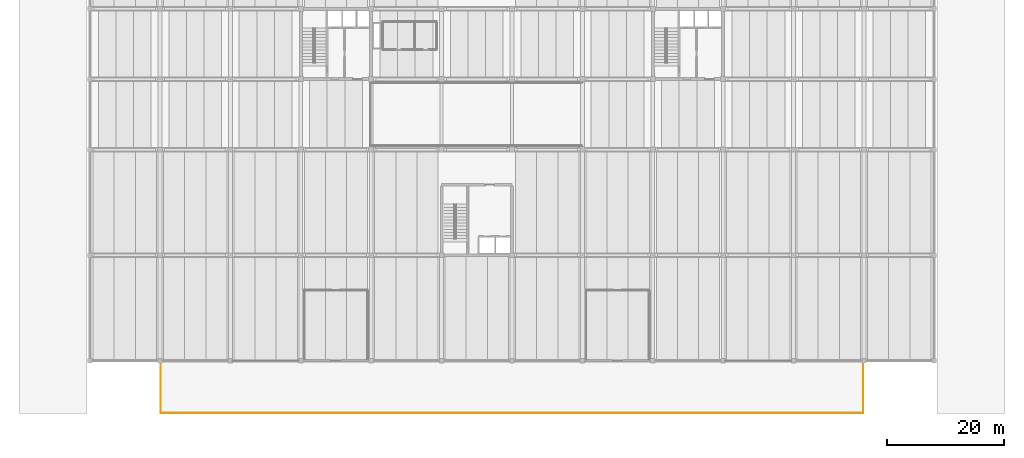
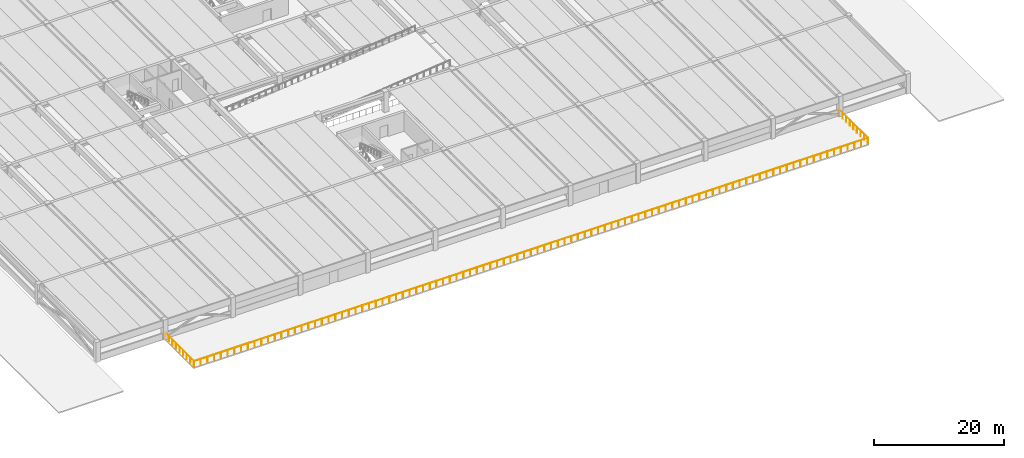
# One storey, part 13 of 16: 1 railing.
"""IFC4 building model written with IfcOpenShell, lengths in metres."""

from ifc_helpers import new_model, si_unit, direction, frame, origin, origin_2d, place, context, subcontext, project, spatial, circle, extrude, material, layer, layer_set, type_object, element, save


model = new_model("IFC4")

# Units and contexts
model_context = context("Model", 3, precision=1e-05, world=origin(), true_north=direction((0.0, 1.0)))
body_context = subcontext(model_context, "Body", "Model", "MODEL_VIEW")
ifc_project = project(units=[si_unit("LENGTHUNIT", "METRE"), si_unit("AREAUNIT", "SQUARE_METRE"), si_unit("VOLUMEUNIT", "CUBIC_METRE"), si_unit("PLANEANGLEUNIT", "RADIAN"), si_unit("MASSUNIT", "GRAM", prefix="KILO")], contexts=[model_context])

# Site, building, storey
site_placement = place(None, origin())
site = spatial("IfcSite", under=ifc_project, at=site_placement, CompositionType="ELEMENT")
building_placement = place(site_placement, origin())
building = spatial("IfcBuilding", under=site, at=building_placement, Name="Girod Span Mobility Hub", CompositionType="ELEMENT")
storey_placement = place(building_placement, frame((0.0, 0.0, 21.0)))
storey = spatial("IfcBuildingStorey", under=building, at=storey_placement, Name="L05", CompositionType="ELEMENT", Elevation=21.0)

# Railing
ifc_material = material(Name="Anodised Aluminium Alloy 6063-T6", Category="aluminium")
ifc_layer = layer(ifc_material, 0.070068359375)
ifc_layer_set = layer_set([ifc_layer], Name="Anodised Aluminium Alloy 6063-T6")
railing_type = type_object("IfcRailingType", Name="RL-BAL-1140", PredefinedType="BALUSTRADE", material=ifc_layer_set)
railing_placement = place(storey_placement, frame((24.1201171875, 8.9599609375, 0.0)))
element("IfcRailing", 1, at=railing_placement, inside=storey, type_object=railing_type, Name="South Boulevard Podium Terrace Perimeter Balustrade", PredefinedType="BALUSTRADE", context=body_context, shape_type="SweptSolid", body=[
    extrude(circle(Radius=0.02392578125, at=origin_2d()), frame((0.0, 0.0, 1.11572265625), z_axis=(0.0, -1.0, 0.0), x_axis=(1.0, 0.0, 0.0)), (0.0, 0.0, 1.0), 8.83984375),
    extrude(circle(Radius=0.02392578125, at=origin_2d()), frame((0.0, -8.83984375, 1.11572265625), z_axis=(1.0, 0.0, 0.0), x_axis=(0.0, 1.0, 0.0)), (0.0, 0.0, 1.0), 119.759765625),
    extrude(circle(Radius=0.02392578125, at=origin_2d()), frame((119.759765625, -8.83984375, 1.11572265625), z_axis=(0.0, 1.0, 0.0), x_axis=(-1.0, 0.0, 0.0)), (0.0, 0.0, 1.0), 8.83984375),
    extrude(circle(Radius=0.02099609375, at=origin_2d()), origin(), (0.0, 0.0, 1.0), 1.091796875),
    extrude(circle(Radius=0.02099609375, at=origin_2d()), frame((0.0, -1.10498046875, 0.0)), (0.0, 0.0, 1.0), 1.091796875),
    extrude(circle(Radius=0.02099609375, at=origin_2d()), frame((0.0, -2.2099609375, 0.0)), (0.0, 0.0, 1.0), 1.091796875),
    extrude(circle(Radius=0.02099609375, at=origin_2d()), frame((0.0, -3.31494140625, 0.0)), (0.0, 0.0, 1.0), 1.091796875),
    extrude(circle(Radius=0.02099609375, at=origin_2d()), frame((0.0, -4.419921875, 0.0)), (0.0, 0.0, 1.0), 1.091796875),
    extrude(circle(Radius=0.02099609375, at=origin_2d()), frame((0.0, -5.52490234375, 0.0)), (0.0, 0.0, 1.0), 1.091796875),
    extrude(circle(Radius=0.02099609375, at=origin_2d()), frame((0.0, -6.6298828125, 0.0)), (0.0, 0.0, 1.0), 1.091796875),
    extrude(circle(Radius=0.02099609375, at=origin_2d()), frame((0.0, -7.73486328125, 0.0)), (0.0, 0.0, 1.0), 1.091796875),
    extrude(circle(Radius=0.02099609375, at=origin_2d()), frame((0.0, -8.83984375, 0.0)), (0.0, 0.0, 1.0), 1.091796875),
    extrude(circle(Radius=0.02099609375, at=origin_2d()), frame((1.197509765625, -8.83984375, 0.0)), (0.0, 0.0, 1.0), 1.091796875),
    extrude(circle(Radius=0.02099609375, at=origin_2d()), frame((2.395263671875, -8.83984375, 0.0)), (0.0, 0.0, 1.0), 1.091796875),
    extrude(circle(Radius=0.02099609375, at=origin_2d()), frame((3.5927734375, -8.83984375, 0.0)), (0.0, 0.0, 1.0), 1.091796875),
    extrude(circle(Radius=0.02099609375, at=origin_2d()), frame((4.790283203125, -8.83984375, 0.0)), (0.0, 0.0, 1.0), 1.091796875),
    extrude(circle(Radius=0.02099609375, at=origin_2d()), frame((5.988037109375, -8.83984375, 0.0)), (0.0, 0.0, 1.0), 1.091796875),
    extrude(circle(Radius=0.02099609375, at=origin_2d()), frame((7.185546875, -8.83984375, 0.0)), (0.0, 0.0, 1.0), 1.091796875),
    extrude(circle(Radius=0.02099609375, at=origin_2d()), frame((8.38330078125, -8.83984375, 0.0)), (0.0, 0.0, 1.0), 1.091796875),
    extrude(circle(Radius=0.02099609375, at=origin_2d()), frame((9.580810546875, -8.83984375, 0.0)), (0.0, 0.0, 1.0), 1.091796875),
    extrude(circle(Radius=0.02099609375, at=origin_2d()), frame((10.7783203125, -8.83984375, 0.0)), (0.0, 0.0, 1.0), 1.091796875),
    extrude(circle(Radius=0.02099609375, at=origin_2d()), frame((11.97607421875, -8.83984375, 0.0)), (0.0, 0.0, 1.0), 1.091796875),
    extrude(circle(Radius=0.02099609375, at=origin_2d()), frame((13.173583984375, -8.83984375, 0.0)), (0.0, 0.0, 1.0), 1.091796875),
    extrude(circle(Radius=0.02099609375, at=origin_2d()), frame((14.37109375, -8.83984375, 0.0)), (0.0, 0.0, 1.0), 1.091796875),
    extrude(circle(Radius=0.02099609375, at=origin_2d()), frame((15.56884765625, -8.83984375, 0.0)), (0.0, 0.0, 1.0), 1.091796875),
    extrude(circle(Radius=0.02099609375, at=origin_2d()), frame((16.766357421875, -8.83984375, 0.0)), (0.0, 0.0, 1.0), 1.091796875),
    extrude(circle(Radius=0.02099609375, at=origin_2d()), frame((17.9638671875, -8.83984375, 0.0)), (0.0, 0.0, 1.0), 1.091796875),
    extrude(circle(Radius=0.02099609375, at=origin_2d()), frame((19.16162109375, -8.83984375, 0.0)), (0.0, 0.0, 1.0), 1.091796875),
    extrude(circle(Radius=0.02099609375, at=origin_2d()), frame((20.359130859375, -8.83984375, 0.0)), (0.0, 0.0, 1.0), 1.091796875),
    extrude(circle(Radius=0.02099609375, at=origin_2d()), frame((21.556640625, -8.83984375, 0.0)), (0.0, 0.0, 1.0), 1.091796875),
    extrude(circle(Radius=0.02099609375, at=origin_2d()), frame((22.75439453125, -8.83984375, 0.0)), (0.0, 0.0, 1.0), 1.091796875),
    extrude(circle(Radius=0.02099609375, at=origin_2d()), frame((23.951904296875, -8.83984375, 0.0)), (0.0, 0.0, 1.0), 1.091796875),
    extrude(circle(Radius=0.02099609375, at=origin_2d()), frame((25.149658203125, -8.83984375, 0.0)), (0.0, 0.0, 1.0), 1.091796875),
    extrude(circle(Radius=0.02099609375, at=origin_2d()), frame((26.34716796875, -8.83984375, 0.0)), (0.0, 0.0, 1.0), 1.091796875),
    extrude(circle(Radius=0.02099609375, at=origin_2d()), frame((27.544677734375, -8.83984375, 0.0)), (0.0, 0.0, 1.0), 1.091796875),
    extrude(circle(Radius=0.02099609375, at=origin_2d()), frame((28.742431640625, -8.83984375, 0.0)), (0.0, 0.0, 1.0), 1.091796875),
    extrude(circle(Radius=0.02099609375, at=origin_2d()), frame((29.93994140625, -8.83984375, 0.0)), (0.0, 0.0, 1.0), 1.091796875),
    extrude(circle(Radius=0.02099609375, at=origin_2d()), frame((31.137451171875, -8.83984375, 0.0)), (0.0, 0.0, 1.0), 1.091796875),
    extrude(circle(Radius=0.02099609375, at=origin_2d()), frame((32.335205078125, -8.83984375, 0.0)), (0.0, 0.0, 1.0), 1.091796875),
    extrude(circle(Radius=0.02099609375, at=origin_2d()), frame((33.53271484375, -8.83984375, 0.0)), (0.0, 0.0, 1.0), 1.091796875),
    extrude(circle(Radius=0.02099609375, at=origin_2d()), frame((34.730224609375, -8.83984375, 0.0)), (0.0, 0.0, 1.0), 1.091796875),
    extrude(circle(Radius=0.02099609375, at=origin_2d()), frame((35.927978515625, -8.83984375, 0.0)), (0.0, 0.0, 1.0), 1.091796875),
    extrude(circle(Radius=0.02099609375, at=origin_2d()), frame((37.12548828125, -8.83984375, 0.0)), (0.0, 0.0, 1.0), 1.091796875),
    extrude(circle(Radius=0.02099609375, at=origin_2d()), frame((38.3232421875, -8.83984375, 0.0)), (0.0, 0.0, 1.0), 1.091796875),
    extrude(circle(Radius=0.02099609375, at=origin_2d()), frame((39.520751953125, -8.83984375, 0.0)), (0.0, 0.0, 1.0), 1.091796875),
    extrude(circle(Radius=0.02099609375, at=origin_2d()), frame((40.71826171875, -8.83984375, 0.0)), (0.0, 0.0, 1.0), 1.091796875),
    extrude(circle(Radius=0.02099609375, at=origin_2d()), frame((41.916015625, -8.83984375, 0.0)), (0.0, 0.0, 1.0), 1.091796875),
    extrude(circle(Radius=0.02099609375, at=origin_2d()), frame((43.113525390625, -8.83984375, 0.0)), (0.0, 0.0, 1.0), 1.091796875),
    extrude(circle(Radius=0.02099609375, at=origin_2d()), frame((44.31103515625, -8.83984375, 0.0)), (0.0, 0.0, 1.0), 1.091796875),
    extrude(circle(Radius=0.02099609375, at=origin_2d()), frame((45.5087890625, -8.83984375, 0.0)), (0.0, 0.0, 1.0), 1.091796875),
    extrude(circle(Radius=0.02099609375, at=origin_2d()), frame((46.706298828125, -8.83984375, 0.0)), (0.0, 0.0, 1.0), 1.091796875),
    extrude(circle(Radius=0.02099609375, at=origin_2d()), frame((47.90380859375, -8.83984375, 0.0)), (0.0, 0.0, 1.0), 1.091796875),
    extrude(circle(Radius=0.02099609375, at=origin_2d()), frame((49.1015625, -8.83984375, 0.0)), (0.0, 0.0, 1.0), 1.091796875),
    extrude(circle(Radius=0.02099609375, at=origin_2d()), frame((50.299072265625, -8.83984375, 0.0)), (0.0, 0.0, 1.0), 1.091796875),
    extrude(circle(Radius=0.02099609375, at=origin_2d()), frame((51.49658203125, -8.83984375, 0.0)), (0.0, 0.0, 1.0), 1.091796875),
    extrude(circle(Radius=0.02099609375, at=origin_2d()), frame((52.6943359375, -8.83984375, 0.0)), (0.0, 0.0, 1.0), 1.091796875),
    extrude(circle(Radius=0.02099609375, at=origin_2d()), frame((53.891845703125, -8.83984375, 0.0)), (0.0, 0.0, 1.0), 1.091796875),
    extrude(circle(Radius=0.02099609375, at=origin_2d()), frame((55.089599609375, -8.83984375, 0.0)), (0.0, 0.0, 1.0), 1.091796875),
    extrude(circle(Radius=0.02099609375, at=origin_2d()), frame((56.287109375, -8.83984375, 0.0)), (0.0, 0.0, 1.0), 1.091796875),
    extrude(circle(Radius=0.02099609375, at=origin_2d()), frame((57.484619140625, -8.83984375, 0.0)), (0.0, 0.0, 1.0), 1.091796875),
    extrude(circle(Radius=0.02099609375, at=origin_2d()), frame((58.682373046875, -8.83984375, 0.0)), (0.0, 0.0, 1.0), 1.091796875),
    extrude(circle(Radius=0.02099609375, at=origin_2d()), frame((59.8798828125, -8.83984375, 0.0)), (0.0, 0.0, 1.0), 1.091796875),
    extrude(circle(Radius=0.02099609375, at=origin_2d()), frame((61.077392578125, -8.83984375, 0.0)), (0.0, 0.0, 1.0), 1.091796875),
    extrude(circle(Radius=0.02099609375, at=origin_2d()), frame((62.275146484375, -8.83984375, 0.0)), (0.0, 0.0, 1.0), 1.091796875),
    extrude(circle(Radius=0.02099609375, at=origin_2d()), frame((63.47265625, -8.83984375, 0.0)), (0.0, 0.0, 1.0), 1.091796875),
    extrude(circle(Radius=0.02099609375, at=origin_2d()), frame((64.670166015625, -8.83984375, 0.0)), (0.0, 0.0, 1.0), 1.091796875),
    extrude(circle(Radius=0.02099609375, at=origin_2d()), frame((65.867919921875, -8.83984375, 0.0)), (0.0, 0.0, 1.0), 1.091796875),
    extrude(circle(Radius=0.02099609375, at=origin_2d()), frame((67.0654296875, -8.83984375, 0.0)), (0.0, 0.0, 1.0), 1.091796875),
    extrude(circle(Radius=0.02099609375, at=origin_2d()), frame((68.26318359375, -8.83984375, 0.0)), (0.0, 0.0, 1.0), 1.091796875),
    extrude(circle(Radius=0.02099609375, at=origin_2d()), frame((69.460693359375, -8.83984375, 0.0)), (0.0, 0.0, 1.0), 1.091796875),
    extrude(circle(Radius=0.02099609375, at=origin_2d()), frame((70.658203125, -8.83984375, 0.0)), (0.0, 0.0, 1.0), 1.091796875),
    extrude(circle(Radius=0.02099609375, at=origin_2d()), frame((71.85595703125, -8.83984375, 0.0)), (0.0, 0.0, 1.0), 1.091796875),
    extrude(circle(Radius=0.02099609375, at=origin_2d()), frame((73.053466796875, -8.83984375, 0.0)), (0.0, 0.0, 1.0), 1.091796875),
    extrude(circle(Radius=0.02099609375, at=origin_2d()), frame((74.2509765625, -8.83984375, 0.0)), (0.0, 0.0, 1.0), 1.091796875),
    extrude(circle(Radius=0.02099609375, at=origin_2d()), frame((75.44873046875, -8.83984375, 0.0)), (0.0, 0.0, 1.0), 1.091796875),
    extrude(circle(Radius=0.02099609375, at=origin_2d()), frame((76.646240234375, -8.83984375, 0.0)), (0.0, 0.0, 1.0), 1.091796875),
    extrude(circle(Radius=0.02099609375, at=origin_2d()), frame((77.84375, -8.83984375, 0.0)), (0.0, 0.0, 1.0), 1.091796875),
    extrude(circle(Radius=0.02099609375, at=origin_2d()), frame((79.04150390625, -8.83984375, 0.0)), (0.0, 0.0, 1.0), 1.091796875),
    extrude(circle(Radius=0.02099609375, at=origin_2d()), frame((80.239013671875, -8.83984375, 0.0)), (0.0, 0.0, 1.0), 1.091796875),
    extrude(circle(Radius=0.02099609375, at=origin_2d()), frame((81.4365234375, -8.83984375, 0.0)), (0.0, 0.0, 1.0), 1.091796875),
    extrude(circle(Radius=0.02099609375, at=origin_2d()), frame((82.63427734375, -8.83984375, 0.0)), (0.0, 0.0, 1.0), 1.091796875),
    extrude(circle(Radius=0.02099609375, at=origin_2d()), frame((83.831787109375, -8.83984375, 0.0)), (0.0, 0.0, 1.0), 1.091796875),
    extrude(circle(Radius=0.02099609375, at=origin_2d()), frame((85.029541015625, -8.83984375, 0.0)), (0.0, 0.0, 1.0), 1.091796875),
    extrude(circle(Radius=0.02099609375, at=origin_2d()), frame((86.22705078125, -8.83984375, 0.0)), (0.0, 0.0, 1.0), 1.091796875),
    extrude(circle(Radius=0.02099609375, at=origin_2d()), frame((87.424560546875, -8.83984375, 0.0)), (0.0, 0.0, 1.0), 1.091796875),
    extrude(circle(Radius=0.02099609375, at=origin_2d()), frame((88.622314453125, -8.83984375, 0.0)), (0.0, 0.0, 1.0), 1.091796875),
    extrude(circle(Radius=0.02099609375, at=origin_2d()), frame((89.81982421875, -8.83984375, 0.0)), (0.0, 0.0, 1.0), 1.091796875),
    extrude(circle(Radius=0.02099609375, at=origin_2d()), frame((91.017333984375, -8.83984375, 0.0)), (0.0, 0.0, 1.0), 1.091796875),
    extrude(circle(Radius=0.02099609375, at=origin_2d()), frame((92.215087890625, -8.83984375, 0.0)), (0.0, 0.0, 1.0), 1.091796875),
    extrude(circle(Radius=0.02099609375, at=origin_2d()), frame((93.41259765625, -8.83984375, 0.0)), (0.0, 0.0, 1.0), 1.091796875),
    extrude(circle(Radius=0.02099609375, at=origin_2d()), frame((94.610107421875, -8.83984375, 0.0)), (0.0, 0.0, 1.0), 1.091796875),
    extrude(circle(Radius=0.02099609375, at=origin_2d()), frame((95.807861328125, -8.83984375, 0.0)), (0.0, 0.0, 1.0), 1.091796875),
    extrude(circle(Radius=0.02099609375, at=origin_2d()), frame((97.00537109375, -8.83984375, 0.0)), (0.0, 0.0, 1.0), 1.091796875),
    extrude(circle(Radius=0.02099609375, at=origin_2d()), frame((98.203125, -8.83984375, 0.0)), (0.0, 0.0, 1.0), 1.091796875),
    extrude(circle(Radius=0.02099609375, at=origin_2d()), frame((99.400634765625, -8.83984375, 0.0)), (0.0, 0.0, 1.0), 1.091796875),
    extrude(circle(Radius=0.02099609375, at=origin_2d()), frame((100.59814453125, -8.83984375, 0.0)), (0.0, 0.0, 1.0), 1.091796875),
    extrude(circle(Radius=0.02099609375, at=origin_2d()), frame((101.7958984375, -8.83984375, 0.0)), (0.0, 0.0, 1.0), 1.091796875),
    extrude(circle(Radius=0.02099609375, at=origin_2d()), frame((102.993408203125, -8.83984375, 0.0)), (0.0, 0.0, 1.0), 1.091796875),
    extrude(circle(Radius=0.02099609375, at=origin_2d()), frame((104.19091796875, -8.83984375, 0.0)), (0.0, 0.0, 1.0), 1.091796875),
    extrude(circle(Radius=0.02099609375, at=origin_2d()), frame((105.388671875, -8.83984375, 0.0)), (0.0, 0.0, 1.0), 1.091796875),
    extrude(circle(Radius=0.02099609375, at=origin_2d()), frame((106.586181640625, -8.83984375, 0.0)), (0.0, 0.0, 1.0), 1.091796875),
    extrude(circle(Radius=0.02099609375, at=origin_2d()), frame((107.78369140625, -8.83984375, 0.0)), (0.0, 0.0, 1.0), 1.091796875),
    extrude(circle(Radius=0.02099609375, at=origin_2d()), frame((108.9814453125, -8.83984375, 0.0)), (0.0, 0.0, 1.0), 1.091796875),
    extrude(circle(Radius=0.02099609375, at=origin_2d()), frame((110.178955078125, -8.83984375, 0.0)), (0.0, 0.0, 1.0), 1.091796875),
    extrude(circle(Radius=0.02099609375, at=origin_2d()), frame((111.37646484375, -8.83984375, 0.0)), (0.0, 0.0, 1.0), 1.091796875),
    extrude(circle(Radius=0.02099609375, at=origin_2d()), frame((112.57421875, -8.83984375, 0.0)), (0.0, 0.0, 1.0), 1.091796875),
    extrude(circle(Radius=0.02099609375, at=origin_2d()), frame((113.771728515625, -8.83984375, 0.0)), (0.0, 0.0, 1.0), 1.091796875),
    extrude(circle(Radius=0.02099609375, at=origin_2d()), frame((114.969482421875, -8.83984375, 0.0)), (0.0, 0.0, 1.0), 1.091796875),
    extrude(circle(Radius=0.02099609375, at=origin_2d()), frame((116.1669921875, -8.83984375, 0.0)), (0.0, 0.0, 1.0), 1.091796875),
    extrude(circle(Radius=0.02099609375, at=origin_2d()), frame((117.364501953125, -8.83984375, 0.0)), (0.0, 0.0, 1.0), 1.091796875),
    extrude(circle(Radius=0.02099609375, at=origin_2d()), frame((118.562255859375, -8.83984375, 0.0)), (0.0, 0.0, 1.0), 1.091796875),
    extrude(circle(Radius=0.02099609375, at=origin_2d()), frame((119.759765625, -8.83984375, 0.0)), (0.0, 0.0, 1.0), 1.091796875),
    extrude(circle(Radius=0.02099609375, at=origin_2d()), frame((119.759765625, -7.73486328125, 0.0)), (0.0, 0.0, 1.0), 1.091796875),
    extrude(circle(Radius=0.02099609375, at=origin_2d()), frame((119.759765625, -6.6298828125, 0.0)), (0.0, 0.0, 1.0), 1.091796875),
    extrude(circle(Radius=0.02099609375, at=origin_2d()), frame((119.759765625, -5.52490234375, 0.0)), (0.0, 0.0, 1.0), 1.091796875),
    extrude(circle(Radius=0.02099609375, at=origin_2d()), frame((119.759765625, -4.419921875, 0.0)), (0.0, 0.0, 1.0), 1.091796875),
    extrude(circle(Radius=0.02099609375, at=origin_2d()), frame((119.759765625, -3.31494140625, 0.0)), (0.0, 0.0, 1.0), 1.091796875),
    extrude(circle(Radius=0.02099609375, at=origin_2d()), frame((119.759765625, -2.2099609375, 0.0)), (0.0, 0.0, 1.0), 1.091796875),
    extrude(circle(Radius=0.02099609375, at=origin_2d()), frame((119.759765625, -1.10498046875, 0.0)), (0.0, 0.0, 1.0), 1.091796875),
    extrude(circle(Radius=0.02099609375, at=origin_2d()), frame((119.759765625, 0.0, 0.0)), (0.0, 0.0, 1.0), 1.091796875),
])

save(model, "model.ifc")
